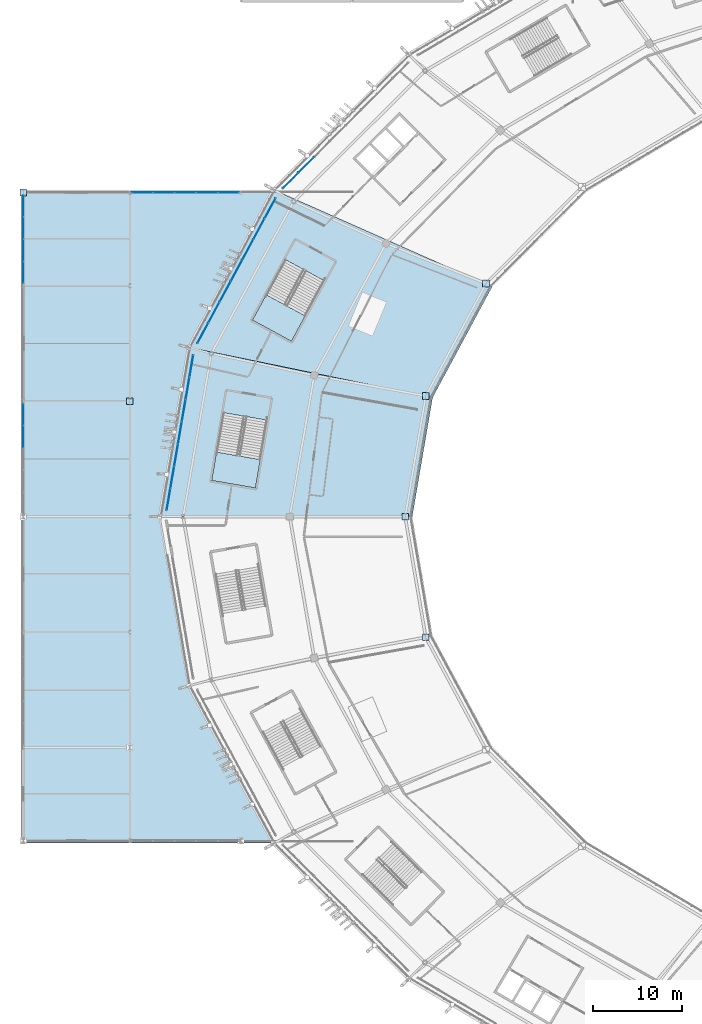
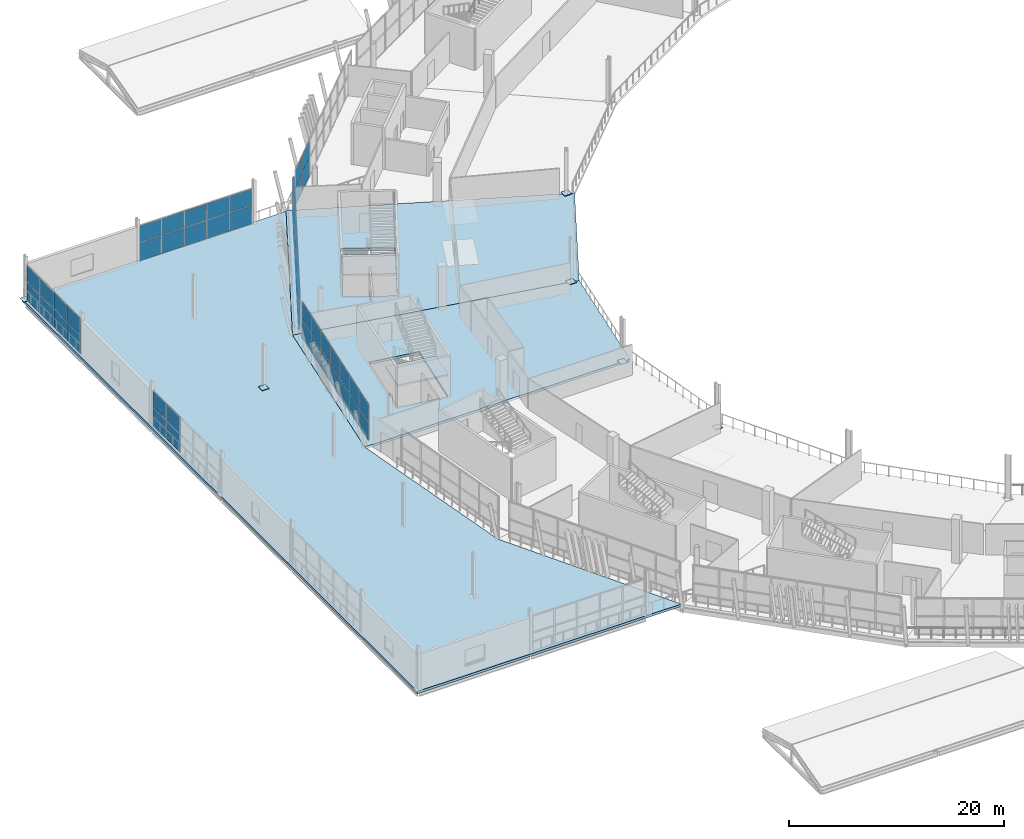
# One storey, part 94 of 179: 60 plates, 5 slabs, 8 elements without a shape of their own.
"""IFC4 building model written with IfcOpenShell, lengths in metres."""

from ifc_helpers import new_model, si_unit, direction, frame, origin, origin_2d, place, context, subcontext, project, spatial, polyline, rectangle, outline, extrude, material, layer, layer_set, type_object, element, aggregate, save


model = new_model("IFC4")

# Units and contexts
model_context = context("Model", 3, precision=1e-05, world=origin(), true_north=direction((0.0, 1.0)))
body_context = subcontext(model_context, "Body", "Model", "MODEL_VIEW")
ifc_project = project(units=[si_unit("LENGTHUNIT", "METRE"), si_unit("AREAUNIT", "SQUARE_METRE"), si_unit("VOLUMEUNIT", "CUBIC_METRE"), si_unit("PLANEANGLEUNIT", "RADIAN"), si_unit("MASSUNIT", "GRAM", prefix="KILO")], contexts=[model_context])

# Site, building, storey
site_placement = place(None, origin())
site = spatial("IfcSite", under=ifc_project, at=site_placement, CompositionType="ELEMENT")
building_placement = place(site_placement, origin())
building = spatial("IfcBuilding", under=site, at=building_placement, Name="Zlatoyarsky Gate Stadium", CompositionType="ELEMENT")
storey_placement = place(building_placement, frame((0.0, 0.0, 10.60009765625)))
storey = spatial("IfcBuildingStorey", under=building, at=storey_placement, Name="L02", CompositionType="ELEMENT", Elevation=10.60009765625)

# Slabs
ifc_material_1 = material(Name="Concrete C40/50", Category="concrete")
ifc_layer_1 = layer(ifc_material_1, 0.280029296875)
ifc_layer_set_1 = layer_set([ifc_layer_1], Name="Concrete C40/50")
slab_type_1 = type_object("IfcSlabType", Name="CONCRETE HOSPITALITY SLAB 280", PredefinedType="FLOOR", material=ifc_layer_set_1)
slab_1_placement = place(storey_placement, frame((0.0, 0.0, -0.280029296875)))
element("IfcSlab", 1, at=slab_1_placement, inside=storey, type_object=slab_type_1, Name="L02 bowl sector 10 slab", PredefinedType="FLOOR", context=body_context, shape_type="SweptSolid", body=[
    extrude(outline(polyline([(46.08984375, 93.40673828125), (18.584228515625, 99.068603515625), (28.14208984375, 116.837890625), (52.802978515625, 105.89990234375), (46.08984375, 93.40673828125)]), holes=[polyline([(29.4970703125, 108.94580078125), (25.80126953125, 102.1337890625), (30.196044921875, 99.749267578125), (33.891845703125, 106.561279296875), (29.4970703125, 108.94580078125)])]), origin(), (0.0, 0.0, 1.0), 0.280029296875),
])
slab_2_placement = place(storey_placement, frame((0.0, 0.0, -0.280029296875)))
element("IfcSlab", 2, at=slab_2_placement, inside=storey, type_object=slab_type_1, Name="L02 bowl sector 11 slab", PredefinedType="FLOOR", context=body_context, shape_type="SweptSolid", body=[
    extrude(outline(polyline([(43.800048828125, 80.0), (15.32421875, 80.0), (18.584228515625, 99.068603515625), (46.08984375, 93.40673828125), (43.800048828125, 80.0)]), holes=[polyline([(22.525390625, 91.7080078125), (21.208251953125, 84.07080078125), (26.135498046875, 83.22119140625), (27.452392578125, 90.8583984375), (22.525390625, 91.7080078125)])]), origin(), (0.0, 0.0, 1.0), 0.280029296875),
])
slab_3_placement = place(storey_placement, frame((0.0, 0.0, -0.280029296875)))
element("IfcSlab", 3, at=slab_3_placement, inside=storey, type_object=slab_type_1, Name="L02 wing V4_WEST slab", PredefinedType="FLOOR", context=body_context, shape_type="SweptSolid", body=[
    extrude(outline(polyline([(28.089599609375, 116.739990234375), (18.584228515625, 99.068603515625), (15.32421875, 80.0), (18.584228515625, 60.931396484375), (28.089599609375, 43.260009765625), (-0.239990234375, 43.260009765625), (-0.239990234375, 116.739990234375), (28.089599609375, 116.739990234375)])), origin(), (0.0, 0.0, 1.0), 0.280029296875),
])

# Stair, slab
stair_type = type_object("IfcStairType", Name="CONCRETE DOGLEG EXIT STAIR H5000", PredefinedType="TWO_STRAIGHT_RUN_STAIR", material=ifc_material_1)
stair_1_placement = place(storey_placement, origin())
stair_1 = element("IfcStair", 4, at=stair_1_placement, inside=storey, type_object=stair_type, Name="L02 Exit Stair ST-06", PredefinedType="TWO_STRAIGHT_RUN_STAIR")
ifc_layer_2 = layer(ifc_material_1, 0.199951171875)
ifc_layer_set_2 = layer_set([ifc_layer_2], Name="Concrete C40/50")
slab_type_2 = type_object("IfcSlabType", Name="CONCRETE STAIR LANDING SLAB 200", PredefinedType="LANDING", material=ifc_layer_set_2)
slab_4_placement = place(storey_placement, frame((0.0, 0.0, 2.2998046875)))
slab_4 = element("IfcSlab", 5, at=slab_4_placement, type_object=slab_type_2, Name="ST-DG50 landing 1", PredefinedType="LANDING", context=body_context, shape_type="SweptSolid", body=[
    extrude(outline(polyline([(27.35107421875, 104.990478515625), (25.80126953125, 102.1337890625), (30.196044921875, 99.749267578125), (31.745849609375, 102.60595703125), (27.35107421875, 104.990478515625)])), origin(), (0.0, 0.0, 1.0), 0.2001953125),
])
aggregate(stair_1, [slab_4])

stair_2_placement = place(storey_placement, origin())
stair_2 = element("IfcStair", 6, at=stair_2_placement, inside=storey, type_object=stair_type, Name="L02 Exit Stair ST-18", PredefinedType="TWO_STRAIGHT_RUN_STAIR")
slab_5_placement = place(storey_placement, frame((0.0, 0.0, 2.2998046875)))
slab_5 = element("IfcSlab", 7, at=slab_5_placement, type_object=slab_type_2, Name="ST-DG50 landing 1", PredefinedType="LANDING", context=body_context, shape_type="SweptSolid", body=[
    extrude(outline(polyline([(21.760498046875, 87.2734375), (21.208251953125, 84.07080078125), (26.135498046875, 83.22119140625), (26.687744140625, 86.423828125), (21.760498046875, 87.2734375)])), origin(), (0.0, 0.0, 1.0), 0.2001953125),
])
aggregate(stair_2, [slab_5])

# Plates
ifc_material_2 = material(Name="Steel S355", Category="steel")
ifc_layer_3 = layer(ifc_material_2, 0.0400390625)
ifc_layer_set_3 = layer_set([ifc_layer_3], Name="Steel S355")
plate_type_1 = type_object("IfcPlateType", Name="STEEL COLUMN BASE PLATE 40", PredefinedType="USERDEFINED", material=ifc_layer_set_3)
for number, where, z_axis, x_axis, name in (
    (8, (52.1103515625, 106.25, 0.0), (0.0, 0.0, 1.0), (1.0, 0.0, 0.0), "Column base plate BP-01 at RA-10 L02"),
    (9, (45.31689453125, 93.587890625, 0.0), (0.0, 0.0, 1.0), (1.0, 0.0, 0.0), "Column base plate BP-01 at RA-11 L02"),
    (10, (43.0, 80.0, 0.0), (0.0, 0.0, 1.0), (1.0, 0.0, 0.0), "Column base plate BP-01 at RA-12 L02"),
    (11, (45.31689453125, 66.412109375, 0.0), (0.0, 0.0, 1.0), (1.0, 0.0, 0.0), "Column base plate BP-01 at RA-13 L02"),
    (12, (0.0, 116.5, 0.0), (0.0, 0.0, 1.0), (1.0, 0.0, 0.0), "Column base plate BP-01 at WG-1-L L02"),
    (13, (12.0, 93.0, 0.0), (0.0, 0.0, 1.0), (1.0, 0.0, 0.0), "Column base plate BP-01 at WG-2-J L02"),
):
    element("IfcPlate", number, at=place(storey_placement, frame(where, z_axis=z_axis, x_axis=x_axis)), inside=storey, type_object=plate_type_1, Name=name, ObjectType="BASE PLATE", PredefinedType="USERDEFINED", context=body_context, shape_type="SweptSolid", body=[
        extrude(rectangle(XDim=0.75, YDim=0.75, at=origin_2d()), origin(), (0.0, 0.0, 1.0), 0.0400390625),
    ])

# Curtain wall, plates
ifc_material_3 = material(Name="Thermally broken anodised aluminium curtain wall", Category="aluminium")
curtain_wall_type_1 = type_object("IfcCurtainWallType", Name="UNITISED HOSPITALITY GLAZING L02", PredefinedType="USERDEFINED", material=ifc_material_3)
curtain_wall_1_placement = place(storey_placement, origin())
curtain_wall_1 = element("IfcCurtainWall", 14, at=curtain_wall_1_placement, inside=storey, type_object=curtain_wall_type_1, Name="Curtain wall CW-L02-09", ObjectType="UNITISED GLAZING", PredefinedType="USERDEFINED")
ifc_material_4 = material(Name="Triple-glazed argon low-e architectural glass", Category="glass")
ifc_layer_4 = layer(ifc_material_4, 0.0380859375)
ifc_layer_set_4 = layer_set([ifc_layer_4], Name="Triple-glazed argon low-e architectural glass")
plate_type_2 = type_object("IfcPlateType", Name="TRIPLE GLAZED LOW E CURTAIN PANEL 38", PredefinedType="CURTAIN_PANEL", material=ifc_layer_set_4)
plate_1_placement = place(storey_placement, frame((31.865478515625, 119.609130859375, 0.06494140625), z_axis=(0.0, 0.0, 1.0), x_axis=(-0.706625557031, -0.707587678066, 0.0)))
plate_1 = element("IfcPlate", 15, at=plate_1_placement, type_object=plate_type_2, Name="CW-UG2 panel 7.1", PredefinedType="CURTAIN_PANEL", context=body_context, shape_type="SweptSolid", body=[
    extrude(rectangle(XDim=2.4423828125, YDim=0.0380859375, at=origin_2d()), origin(), (0.0, 0.0, 1.0), 2.052490234375),
])
plate_2_placement = place(storey_placement, frame((31.865478515625, 119.609130859375, 2.1826171875), z_axis=(0.0, 0.0, 1.0), x_axis=(-0.706625557031, -0.707587678066, 0.0)))
plate_2 = element("IfcPlate", 16, at=plate_2_placement, type_object=plate_type_2, Name="CW-UG2 panel 7.2", PredefinedType="CURTAIN_PANEL", context=body_context, shape_type="SweptSolid", body=[
    extrude(rectangle(XDim=2.4423828125, YDim=0.0380859375, at=origin_2d()), origin(), (0.0, 0.0, 1.0), 1.952392578125),
])
plate_3_placement = place(storey_placement, frame((30.105224609375, 117.846435546875, 0.06494140625), z_axis=(0.0, 0.0, 1.0), x_axis=(-0.706625557031, -0.707587678066, 0.0)))
plate_3 = element("IfcPlate", 17, at=plate_3_placement, type_object=plate_type_2, Name="CW-UG2 panel 8.1", PredefinedType="CURTAIN_PANEL", context=body_context, shape_type="SweptSolid", body=[
    extrude(rectangle(XDim=2.409912109375, YDim=0.0380859375, at=origin_2d()), origin(), (0.0, 0.0, 1.0), 2.052490234375),
])
plate_4_placement = place(storey_placement, frame((30.105224609375, 117.846435546875, 2.1826171875), z_axis=(0.0, 0.0, 1.0), x_axis=(-0.706625557031, -0.707587678066, 0.0)))
plate_4 = element("IfcPlate", 18, at=plate_4_placement, type_object=plate_type_2, Name="CW-UG2 panel 8.2", PredefinedType="CURTAIN_PANEL", context=body_context, shape_type="SweptSolid", body=[
    extrude(rectangle(XDim=2.409912109375, YDim=0.0380859375, at=origin_2d()), origin(), (0.0, 0.0, 1.0), 1.952392578125),
])
aggregate(curtain_wall_1, [plate_1, plate_2, plate_3, plate_4])

curtain_wall_2_placement = place(storey_placement, origin())
curtain_wall_2 = element("IfcCurtainWall", 19, at=curtain_wall_2_placement, inside=storey, type_object=curtain_wall_type_1, Name="Curtain wall CW-L02-10", ObjectType="UNITISED GLAZING", PredefinedType="USERDEFINED")
plate_5_placement = place(storey_placement, frame((27.798828125, 114.72607421875, 0.06494140625), z_axis=(0.0, 0.0, 1.0), x_axis=(-0.474536449165, -0.880235853856, 0.0)))
plate_5 = element("IfcPlate", 20, at=plate_5_placement, type_object=plate_type_2, Name="CW-UG2 panel 1.1", PredefinedType="CURTAIN_PANEL", context=body_context, shape_type="SweptSolid", body=[
    extrude(rectangle(XDim=2.5732421875, YDim=0.0380859375, at=origin_2d()), origin(), (0.0, 0.0, 1.0), 2.052490234375),
])
plate_6_placement = place(storey_placement, frame((27.798828125, 114.72607421875, 2.1826171875), z_axis=(0.0, 0.0, 1.0), x_axis=(-0.474536449165, -0.880235853856, 0.0)))
plate_6 = element("IfcPlate", 21, at=plate_6_placement, type_object=plate_type_2, Name="CW-UG2 panel 1.2", PredefinedType="CURTAIN_PANEL", context=body_context, shape_type="SweptSolid", body=[
    extrude(rectangle(XDim=2.5732421875, YDim=0.0380859375, at=origin_2d()), origin(), (0.0, 0.0, 1.0), 1.952392578125),
])
plate_7_placement = place(storey_placement, frame((26.5390625, 112.389404296875, 0.06494140625), z_axis=(0.0, 0.0, 1.0), x_axis=(-0.474536449165, -0.880235853856, 0.0)))
plate_7 = element("IfcPlate", 22, at=plate_7_placement, type_object=plate_type_2, Name="CW-UG2 panel 2.1", PredefinedType="CURTAIN_PANEL", context=body_context, shape_type="SweptSolid", body=[
    extrude(rectangle(XDim=2.605712890625, YDim=0.0380859375, at=origin_2d()), origin(), (0.0, 0.0, 1.0), 2.052490234375),
])
plate_8_placement = place(storey_placement, frame((26.5390625, 112.389404296875, 2.1826171875), z_axis=(0.0, 0.0, 1.0), x_axis=(-0.474536449165, -0.880235853856, 0.0)))
plate_8 = element("IfcPlate", 23, at=plate_8_placement, type_object=plate_type_2, Name="CW-UG2 panel 2.2", PredefinedType="CURTAIN_PANEL", context=body_context, shape_type="SweptSolid", body=[
    extrude(rectangle(XDim=2.605712890625, YDim=0.0380859375, at=origin_2d()), origin(), (0.0, 0.0, 1.0), 1.952392578125),
])
plate_9_placement = place(storey_placement, frame((25.271728515625, 110.03857421875, 0.06494140625), z_axis=(0.0, 0.0, 1.0), x_axis=(-0.474536449165, -0.880235853856, 0.0)))
plate_9 = element("IfcPlate", 24, at=plate_9_placement, type_object=plate_type_2, Name="CW-UG2 panel 3.1", PredefinedType="CURTAIN_PANEL", context=body_context, shape_type="SweptSolid", body=[
    extrude(rectangle(XDim=2.605712890625, YDim=0.0380859375, at=origin_2d()), origin(), (0.0, 0.0, 1.0), 2.052490234375),
])
plate_10_placement = place(storey_placement, frame((25.271728515625, 110.03857421875, 2.1826171875), z_axis=(0.0, 0.0, 1.0), x_axis=(-0.474536449165, -0.880235853856, 0.0)))
plate_10 = element("IfcPlate", 25, at=plate_10_placement, type_object=plate_type_2, Name="CW-UG2 panel 3.2", PredefinedType="CURTAIN_PANEL", context=body_context, shape_type="SweptSolid", body=[
    extrude(rectangle(XDim=2.605712890625, YDim=0.0380859375, at=origin_2d()), origin(), (0.0, 0.0, 1.0), 1.952392578125),
])
plate_11_placement = place(storey_placement, frame((24.00439453125, 107.687744140625, 0.06494140625), z_axis=(0.0, 0.0, 1.0), x_axis=(-0.474536449165, -0.880235853856, 0.0)))
plate_11 = element("IfcPlate", 26, at=plate_11_placement, type_object=plate_type_2, Name="CW-UG2 panel 4.1", PredefinedType="CURTAIN_PANEL", context=body_context, shape_type="SweptSolid", body=[
    extrude(rectangle(XDim=2.605712890625, YDim=0.0380859375, at=origin_2d()), origin(), (0.0, 0.0, 1.0), 2.052490234375),
])
plate_12_placement = place(storey_placement, frame((24.00439453125, 107.687744140625, 2.1826171875), z_axis=(0.0, 0.0, 1.0), x_axis=(-0.474536449165, -0.880235853856, 0.0)))
plate_12 = element("IfcPlate", 27, at=plate_12_placement, type_object=plate_type_2, Name="CW-UG2 panel 4.2", PredefinedType="CURTAIN_PANEL", context=body_context, shape_type="SweptSolid", body=[
    extrude(rectangle(XDim=2.605712890625, YDim=0.0380859375, at=origin_2d()), origin(), (0.0, 0.0, 1.0), 1.952392578125),
])
plate_13_placement = place(storey_placement, frame((22.737060546875, 105.3369140625, 0.06494140625), z_axis=(0.0, 0.0, 1.0), x_axis=(-0.474536449165, -0.880235853856, 0.0)))
plate_13 = element("IfcPlate", 28, at=plate_13_placement, type_object=plate_type_2, Name="CW-UG2 panel 5.1", PredefinedType="CURTAIN_PANEL", context=body_context, shape_type="SweptSolid", body=[
    extrude(rectangle(XDim=2.605712890625, YDim=0.0380859375, at=origin_2d()), origin(), (0.0, 0.0, 1.0), 2.052490234375),
])
plate_14_placement = place(storey_placement, frame((22.737060546875, 105.3369140625, 2.1826171875), z_axis=(0.0, 0.0, 1.0), x_axis=(-0.474536449165, -0.880235853856, 0.0)))
plate_14 = element("IfcPlate", 29, at=plate_14_placement, type_object=plate_type_2, Name="CW-UG2 panel 5.2", PredefinedType="CURTAIN_PANEL", context=body_context, shape_type="SweptSolid", body=[
    extrude(rectangle(XDim=2.605712890625, YDim=0.0380859375, at=origin_2d()), origin(), (0.0, 0.0, 1.0), 1.952392578125),
])
plate_15_placement = place(storey_placement, frame((21.4697265625, 102.986083984375, 0.06494140625), z_axis=(0.0, 0.0, 1.0), x_axis=(-0.474536449165, -0.880235853856, 0.0)))
plate_15 = element("IfcPlate", 30, at=plate_15_placement, type_object=plate_type_2, Name="CW-UG2 panel 6.1", PredefinedType="CURTAIN_PANEL", context=body_context, shape_type="SweptSolid", body=[
    extrude(rectangle(XDim=2.605712890625, YDim=0.0380859375, at=origin_2d()), origin(), (0.0, 0.0, 1.0), 2.052490234375),
])
plate_16_placement = place(storey_placement, frame((21.4697265625, 102.986083984375, 2.1826171875), z_axis=(0.0, 0.0, 1.0), x_axis=(-0.474536449165, -0.880235853856, 0.0)))
plate_16 = element("IfcPlate", 31, at=plate_16_placement, type_object=plate_type_2, Name="CW-UG2 panel 6.2", PredefinedType="CURTAIN_PANEL", context=body_context, shape_type="SweptSolid", body=[
    extrude(rectangle(XDim=2.605712890625, YDim=0.0380859375, at=origin_2d()), origin(), (0.0, 0.0, 1.0), 1.952392578125),
])
plate_17_placement = place(storey_placement, frame((20.2099609375, 100.6494140625, 0.06494140625), z_axis=(0.0, 0.0, 1.0), x_axis=(-0.474536449165, -0.880235853856, 0.0)))
plate_17 = element("IfcPlate", 32, at=plate_17_placement, type_object=plate_type_2, Name="CW-UG2 panel 7.1", PredefinedType="CURTAIN_PANEL", context=body_context, shape_type="SweptSolid", body=[
    extrude(rectangle(XDim=2.5732421875, YDim=0.0380859375, at=origin_2d()), origin(), (0.0, 0.0, 1.0), 2.052490234375),
])
plate_18_placement = place(storey_placement, frame((20.2099609375, 100.6494140625, 2.1826171875), z_axis=(0.0, 0.0, 1.0), x_axis=(-0.474536449165, -0.880235853856, 0.0)))
plate_18 = element("IfcPlate", 33, at=plate_18_placement, type_object=plate_type_2, Name="CW-UG2 panel 7.2", PredefinedType="CURTAIN_PANEL", context=body_context, shape_type="SweptSolid", body=[
    extrude(rectangle(XDim=2.5732421875, YDim=0.0380859375, at=origin_2d()), origin(), (0.0, 0.0, 1.0), 1.952392578125),
])
aggregate(curtain_wall_2, [plate_5, plate_6, plate_7, plate_8, plate_9, plate_10, plate_11, plate_12, plate_13, plate_14, plate_15, plate_16, plate_17, plate_18])

curtain_wall_3_placement = place(storey_placement, origin())
curtain_wall_3 = element("IfcCurtainWall", 34, at=curtain_wall_3_placement, inside=storey, type_object=curtain_wall_type_1, Name="Curtain wall CW-L02-11", ObjectType="UNITISED GLAZING", PredefinedType="USERDEFINED")
plate_19_placement = place(storey_placement, frame((18.932373046875, 96.973388671875, 0.06494140625), z_axis=(0.0, 0.0, 1.0), x_axis=(-0.168876489016, -0.985637221019, 0.0)))
plate_19 = element("IfcPlate", 35, at=plate_19_placement, type_object=plate_type_2, Name="CW-UG2 panel 1.1", PredefinedType="CURTAIN_PANEL", context=body_context, shape_type="SweptSolid", body=[
    extrude(rectangle(XDim=2.454345703125, YDim=0.0380859375, at=origin_2d()), origin(), (0.0, 0.0, 1.0), 2.052490234375),
])
plate_20_placement = place(storey_placement, frame((18.932373046875, 96.973388671875, 2.1826171875), z_axis=(0.0, 0.0, 1.0), x_axis=(-0.168876489016, -0.985637221019, 0.0)))
plate_20 = element("IfcPlate", 36, at=plate_20_placement, type_object=plate_type_2, Name="CW-UG2 panel 1.2", PredefinedType="CURTAIN_PANEL", context=body_context, shape_type="SweptSolid", body=[
    extrude(rectangle(XDim=2.454345703125, YDim=0.0380859375, at=origin_2d()), origin(), (0.0, 0.0, 1.0), 1.952392578125),
])
plate_21_placement = place(storey_placement, frame((18.504150390625, 94.47412109375, 0.06494140625), z_axis=(0.0, 0.0, 1.0), x_axis=(-0.168876489016, -0.985637221019, 0.0)))
plate_21 = element("IfcPlate", 37, at=plate_21_placement, type_object=plate_type_2, Name="CW-UG2 panel 2.1", PredefinedType="CURTAIN_PANEL", context=body_context, shape_type="SweptSolid", body=[
    extrude(rectangle(XDim=2.48681640625, YDim=0.0380859375, at=origin_2d()), origin(), (0.0, 0.0, 1.0), 2.052490234375),
])
plate_22_placement = place(storey_placement, frame((18.504150390625, 94.47412109375, 2.1826171875), z_axis=(0.0, 0.0, 1.0), x_axis=(-0.168876489016, -0.985637221019, 0.0)))
plate_22 = element("IfcPlate", 38, at=plate_22_placement, type_object=plate_type_2, Name="CW-UG2 panel 2.2", PredefinedType="CURTAIN_PANEL", context=body_context, shape_type="SweptSolid", body=[
    extrude(rectangle(XDim=2.48681640625, YDim=0.0380859375, at=origin_2d()), origin(), (0.0, 0.0, 1.0), 1.952392578125),
])
plate_23_placement = place(storey_placement, frame((18.0732421875, 91.958984375, 0.06494140625), z_axis=(0.0, 0.0, 1.0), x_axis=(-0.168876489016, -0.985637221019, 0.0)))
plate_23 = element("IfcPlate", 39, at=plate_23_placement, type_object=plate_type_2, Name="CW-UG2 panel 3.1", PredefinedType="CURTAIN_PANEL", context=body_context, shape_type="SweptSolid", body=[
    extrude(rectangle(XDim=2.48681640625, YDim=0.0380859375, at=origin_2d()), origin(), (0.0, 0.0, 1.0), 2.052490234375),
])
plate_24_placement = place(storey_placement, frame((18.0732421875, 91.958984375, 2.1826171875), z_axis=(0.0, 0.0, 1.0), x_axis=(-0.168876489016, -0.985637221019, 0.0)))
plate_24 = element("IfcPlate", 40, at=plate_24_placement, type_object=plate_type_2, Name="CW-UG2 panel 3.2", PredefinedType="CURTAIN_PANEL", context=body_context, shape_type="SweptSolid", body=[
    extrude(rectangle(XDim=2.48681640625, YDim=0.0380859375, at=origin_2d()), origin(), (0.0, 0.0, 1.0), 1.952392578125),
])
plate_25_placement = place(storey_placement, frame((17.64208984375, 89.44384765625, 0.06494140625), z_axis=(0.0, 0.0, 1.0), x_axis=(-0.168876489016, -0.985637221019, 0.0)))
plate_25 = element("IfcPlate", 41, at=plate_25_placement, type_object=plate_type_2, Name="CW-UG2 panel 4.1", PredefinedType="CURTAIN_PANEL", context=body_context, shape_type="SweptSolid", body=[
    extrude(rectangle(XDim=2.48681640625, YDim=0.0380859375, at=origin_2d()), origin(), (0.0, 0.0, 1.0), 2.052490234375),
])
plate_26_placement = place(storey_placement, frame((17.64208984375, 89.44384765625, 2.1826171875), z_axis=(0.0, 0.0, 1.0), x_axis=(-0.168876489016, -0.985637221019, 0.0)))
plate_26 = element("IfcPlate", 42, at=plate_26_placement, type_object=plate_type_2, Name="CW-UG2 panel 4.2", PredefinedType="CURTAIN_PANEL", context=body_context, shape_type="SweptSolid", body=[
    extrude(rectangle(XDim=2.48681640625, YDim=0.0380859375, at=origin_2d()), origin(), (0.0, 0.0, 1.0), 1.952392578125),
])
plate_27_placement = place(storey_placement, frame((17.211181640625, 86.9287109375, 0.06494140625), z_axis=(0.0, 0.0, 1.0), x_axis=(-0.168876489016, -0.985637221019, 0.0)))
plate_27 = element("IfcPlate", 43, at=plate_27_placement, type_object=plate_type_2, Name="CW-UG2 panel 5.1", PredefinedType="CURTAIN_PANEL", context=body_context, shape_type="SweptSolid", body=[
    extrude(rectangle(XDim=2.48681640625, YDim=0.0380859375, at=origin_2d()), origin(), (0.0, 0.0, 1.0), 2.052490234375),
])
plate_28_placement = place(storey_placement, frame((17.211181640625, 86.9287109375, 2.1826171875), z_axis=(0.0, 0.0, 1.0), x_axis=(-0.168876489016, -0.985637221019, 0.0)))
plate_28 = element("IfcPlate", 44, at=plate_28_placement, type_object=plate_type_2, Name="CW-UG2 panel 5.2", PredefinedType="CURTAIN_PANEL", context=body_context, shape_type="SweptSolid", body=[
    extrude(rectangle(XDim=2.48681640625, YDim=0.0380859375, at=origin_2d()), origin(), (0.0, 0.0, 1.0), 1.952392578125),
])
plate_29_placement = place(storey_placement, frame((16.7802734375, 84.41357421875, 0.06494140625), z_axis=(0.0, 0.0, 1.0), x_axis=(-0.168876489016, -0.985637221019, 0.0)))
plate_29 = element("IfcPlate", 45, at=plate_29_placement, type_object=plate_type_2, Name="CW-UG2 panel 6.1", PredefinedType="CURTAIN_PANEL", context=body_context, shape_type="SweptSolid", body=[
    extrude(rectangle(XDim=2.48681640625, YDim=0.0380859375, at=origin_2d()), origin(), (0.0, 0.0, 1.0), 2.052490234375),
])
plate_30_placement = place(storey_placement, frame((16.7802734375, 84.41357421875, 2.1826171875), z_axis=(0.0, 0.0, 1.0), x_axis=(-0.168876489016, -0.985637221019, 0.0)))
plate_30 = element("IfcPlate", 46, at=plate_30_placement, type_object=plate_type_2, Name="CW-UG2 panel 6.2", PredefinedType="CURTAIN_PANEL", context=body_context, shape_type="SweptSolid", body=[
    extrude(rectangle(XDim=2.48681640625, YDim=0.0380859375, at=origin_2d()), origin(), (0.0, 0.0, 1.0), 1.952392578125),
])
plate_31_placement = place(storey_placement, frame((16.35205078125, 81.914306640625, 0.06494140625), z_axis=(0.0, 0.0, 1.0), x_axis=(-0.168876489016, -0.985637221019, 0.0)))
plate_31 = element("IfcPlate", 47, at=plate_31_placement, type_object=plate_type_2, Name="CW-UG2 panel 7.1", PredefinedType="CURTAIN_PANEL", context=body_context, shape_type="SweptSolid", body=[
    extrude(rectangle(XDim=2.454345703125, YDim=0.0380859375, at=origin_2d()), origin(), (0.0, 0.0, 1.0), 2.052490234375),
])
plate_32_placement = place(storey_placement, frame((16.35205078125, 81.914306640625, 2.1826171875), z_axis=(0.0, 0.0, 1.0), x_axis=(-0.168876489016, -0.985637221019, 0.0)))
plate_32 = element("IfcPlate", 48, at=plate_32_placement, type_object=plate_type_2, Name="CW-UG2 panel 7.2", PredefinedType="CURTAIN_PANEL", context=body_context, shape_type="SweptSolid", body=[
    extrude(rectangle(XDim=2.454345703125, YDim=0.0380859375, at=origin_2d()), origin(), (0.0, 0.0, 1.0), 1.952392578125),
])
aggregate(curtain_wall_3, [plate_19, plate_20, plate_21, plate_22, plate_23, plate_24, plate_25, plate_26, plate_27, plate_28, plate_29, plate_30, plate_31, plate_32])

curtain_wall_type_2 = type_object("IfcCurtainWallType", Name="WINTER GARDEN CONSERVATORY GLAZING", PredefinedType="USERDEFINED", material=ifc_material_3)
curtain_wall_4_placement = place(storey_placement, origin())
curtain_wall_4 = element("IfcCurtainWall", 49, at=curtain_wall_4_placement, inside=storey, type_object=curtain_wall_type_2, Name="Curtain wall CW-V4_WEST-L02-169", ObjectType="UNITISED GLAZING", PredefinedType="USERDEFINED")
plate_33_placement = place(storey_placement, frame((0.0, 89.01513671875, 0.06494140625), z_axis=(0.0, 0.0, 1.0), x_axis=(0.0, 1.0, 0.0)))
plate_33 = element("IfcPlate", 50, at=plate_33_placement, type_object=plate_type_2, Name="CW-WG1 panel 4.1", PredefinedType="CURTAIN_PANEL", context=body_context, shape_type="SweptSolid", body=[
    extrude(rectangle(XDim=2.4501953125, YDim=0.0380859375, at=origin_2d()), origin(), (0.0, 0.0, 1.0), 2.052490234375),
])
plate_34_placement = place(storey_placement, frame((0.0, 89.01513671875, 2.182373046875), z_axis=(0.0, 0.0, 1.0), x_axis=(0.0, 1.0, 0.0)))
plate_34 = element("IfcPlate", 51, at=plate_34_placement, type_object=plate_type_2, Name="CW-WG1 panel 4.2", PredefinedType="CURTAIN_PANEL", context=body_context, shape_type="SweptSolid", body=[
    extrude(rectangle(XDim=2.4501953125, YDim=0.0380859375, at=origin_2d()), origin(), (0.0, 0.0, 1.0), 1.8525390625),
])
plate_35_placement = place(storey_placement, frame((0.0, 91.51416015625, 0.06494140625), z_axis=(0.0, 0.0, 1.0), x_axis=(0.0, 1.0, 0.0)))
plate_35 = element("IfcPlate", 52, at=plate_35_placement, type_object=plate_type_2, Name="CW-WG1 panel 5.1", PredefinedType="CURTAIN_PANEL", context=body_context, shape_type="SweptSolid", body=[
    extrude(rectangle(XDim=2.417724609375, YDim=0.0380859375, at=origin_2d()), origin(), (0.0, 0.0, 1.0), 2.052490234375),
])
plate_36_placement = place(storey_placement, frame((0.0, 91.51416015625, 2.182373046875), z_axis=(0.0, 0.0, 1.0), x_axis=(0.0, 1.0, 0.0)))
plate_36 = element("IfcPlate", 53, at=plate_36_placement, type_object=plate_type_2, Name="CW-WG1 panel 5.2", PredefinedType="CURTAIN_PANEL", context=body_context, shape_type="SweptSolid", body=[
    extrude(rectangle(XDim=2.417724609375, YDim=0.0380859375, at=origin_2d()), origin(), (0.0, 0.0, 1.0), 1.8525390625),
])
aggregate(curtain_wall_4, [plate_33, plate_34, plate_35, plate_36])

curtain_wall_5_placement = place(storey_placement, origin())
curtain_wall_5 = element("IfcCurtainWall", 54, at=curtain_wall_5_placement, inside=storey, type_object=curtain_wall_type_2, Name="Curtain wall CW-V4_WEST-L02-170", ObjectType="UNITISED GLAZING", PredefinedType="USERDEFINED")
plate_37_placement = place(storey_placement, frame((0.0, 107.48779296875, 0.06494140625), z_axis=(0.0, 0.0, 1.0), x_axis=(0.0, 1.0, 0.0)))
plate_37 = element("IfcPlate", 55, at=plate_37_placement, type_object=plate_type_2, Name="CW-WG1 panel 1.1", PredefinedType="CURTAIN_PANEL", context=body_context, shape_type="SweptSolid", body=[
    extrude(rectangle(XDim=2.42138671875, YDim=0.0380859375, at=origin_2d()), origin(), (0.0, 0.0, 1.0), 2.052490234375),
])
plate_38_placement = place(storey_placement, frame((0.0, 107.48779296875, 2.182373046875), z_axis=(0.0, 0.0, 1.0), x_axis=(0.0, 1.0, 0.0)))
plate_38 = element("IfcPlate", 56, at=plate_38_placement, type_object=plate_type_2, Name="CW-WG1 panel 1.2", PredefinedType="CURTAIN_PANEL", context=body_context, shape_type="SweptSolid", body=[
    extrude(rectangle(XDim=2.42138671875, YDim=0.0380859375, at=origin_2d()), origin(), (0.0, 0.0, 1.0), 1.8525390625),
])
plate_39_placement = place(storey_placement, frame((0.0, 109.990478515625, 0.06494140625), z_axis=(0.0, 0.0, 1.0), x_axis=(0.0, 1.0, 0.0)))
plate_39 = element("IfcPlate", 57, at=plate_39_placement, type_object=plate_type_2, Name="CW-WG1 panel 2.1", PredefinedType="CURTAIN_PANEL", context=body_context, shape_type="SweptSolid", body=[
    extrude(rectangle(XDim=2.4541015625, YDim=0.0380859375, at=origin_2d()), origin(), (0.0, 0.0, 1.0), 2.052490234375),
])
plate_40_placement = place(storey_placement, frame((0.0, 109.990478515625, 2.182373046875), z_axis=(0.0, 0.0, 1.0), x_axis=(0.0, 1.0, 0.0)))
plate_40 = element("IfcPlate", 58, at=plate_40_placement, type_object=plate_type_2, Name="CW-WG1 panel 2.2", PredefinedType="CURTAIN_PANEL", context=body_context, shape_type="SweptSolid", body=[
    extrude(rectangle(XDim=2.4541015625, YDim=0.0380859375, at=origin_2d()), origin(), (0.0, 0.0, 1.0), 1.8525390625),
])
plate_41_placement = place(storey_placement, frame((0.0, 112.509521484375, 0.06494140625), z_axis=(0.0, 0.0, 1.0), x_axis=(0.0, 1.0, 0.0)))
plate_41 = element("IfcPlate", 59, at=plate_41_placement, type_object=plate_type_2, Name="CW-WG1 panel 3.1", PredefinedType="CURTAIN_PANEL", context=body_context, shape_type="SweptSolid", body=[
    extrude(rectangle(XDim=2.4541015625, YDim=0.0380859375, at=origin_2d()), origin(), (0.0, 0.0, 1.0), 2.052490234375),
])
plate_42_placement = place(storey_placement, frame((0.0, 112.509521484375, 2.182373046875), z_axis=(0.0, 0.0, 1.0), x_axis=(0.0, 1.0, 0.0)))
plate_42 = element("IfcPlate", 60, at=plate_42_placement, type_object=plate_type_2, Name="CW-WG1 panel 3.2", PredefinedType="CURTAIN_PANEL", context=body_context, shape_type="SweptSolid", body=[
    extrude(rectangle(XDim=2.4541015625, YDim=0.0380859375, at=origin_2d()), origin(), (0.0, 0.0, 1.0), 1.8525390625),
])
plate_43_placement = place(storey_placement, frame((0.0, 115.01220703125, 0.06494140625), z_axis=(0.0, 0.0, 1.0), x_axis=(0.0, 1.0, 0.0)))
plate_43 = element("IfcPlate", 61, at=plate_43_placement, type_object=plate_type_2, Name="CW-WG1 panel 4.1", PredefinedType="CURTAIN_PANEL", context=body_context, shape_type="SweptSolid", body=[
    extrude(rectangle(XDim=2.42138671875, YDim=0.0380859375, at=origin_2d()), origin(), (0.0, 0.0, 1.0), 2.052490234375),
])
plate_44_placement = place(storey_placement, frame((0.0, 115.01220703125, 2.182373046875), z_axis=(0.0, 0.0, 1.0), x_axis=(0.0, 1.0, 0.0)))
plate_44 = element("IfcPlate", 62, at=plate_44_placement, type_object=plate_type_2, Name="CW-WG1 panel 4.2", PredefinedType="CURTAIN_PANEL", context=body_context, shape_type="SweptSolid", body=[
    extrude(rectangle(XDim=2.42138671875, YDim=0.0380859375, at=origin_2d()), origin(), (0.0, 0.0, 1.0), 1.8525390625),
])
aggregate(curtain_wall_5, [plate_37, plate_38, plate_39, plate_40, plate_41, plate_42, plate_43, plate_44])

curtain_wall_6_placement = place(storey_placement, origin())
curtain_wall_6 = element("IfcCurtainWall", 63, at=curtain_wall_6_placement, inside=storey, type_object=curtain_wall_type_2, Name="Curtain wall CW-V4_WEST-L02-178", ObjectType="UNITISED GLAZING", PredefinedType="USERDEFINED")
plate_45_placement = place(storey_placement, frame((13.395751953125, 116.5, 0.06494140625), z_axis=(0.0, 0.0, 1.0), x_axis=(1.0, 0.0, 0.0)))
plate_45 = element("IfcPlate", 64, at=plate_45_placement, type_object=plate_type_2, Name="CW-WG1 panel 1.1", PredefinedType="CURTAIN_PANEL", context=body_context, shape_type="SweptSolid", body=[
    extrude(rectangle(XDim=2.337646484375, YDim=0.0380859375, at=origin_2d()), origin(), (0.0, 0.0, 1.0), 2.052490234375),
])
plate_46_placement = place(storey_placement, frame((13.395751953125, 116.5, 2.182373046875), z_axis=(0.0, 0.0, 1.0), x_axis=(1.0, 0.0, 0.0)))
plate_46 = element("IfcPlate", 65, at=plate_46_placement, type_object=plate_type_2, Name="CW-WG1 panel 1.2", PredefinedType="CURTAIN_PANEL", context=body_context, shape_type="SweptSolid", body=[
    extrude(rectangle(XDim=2.337646484375, YDim=0.0380859375, at=origin_2d()), origin(), (0.0, 0.0, 1.0), 1.8525390625),
])
plate_47_placement = place(storey_placement, frame((15.814697265625, 116.5, 0.06494140625), z_axis=(0.0, 0.0, 1.0), x_axis=(1.0, 0.0, 0.0)))
plate_47 = element("IfcPlate", 66, at=plate_47_placement, type_object=plate_type_2, Name="CW-WG1 panel 2.1", PredefinedType="CURTAIN_PANEL", context=body_context, shape_type="SweptSolid", body=[
    extrude(rectangle(XDim=2.3701171875, YDim=0.0380859375, at=origin_2d()), origin(), (0.0, 0.0, 1.0), 2.052490234375),
])
plate_48_placement = place(storey_placement, frame((15.814697265625, 116.5, 2.182373046875), z_axis=(0.0, 0.0, 1.0), x_axis=(1.0, 0.0, 0.0)))
plate_48 = element("IfcPlate", 67, at=plate_48_placement, type_object=plate_type_2, Name="CW-WG1 panel 2.2", PredefinedType="CURTAIN_PANEL", context=body_context, shape_type="SweptSolid", body=[
    extrude(rectangle(XDim=2.3701171875, YDim=0.0380859375, at=origin_2d()), origin(), (0.0, 0.0, 1.0), 1.8525390625),
])
plate_49_placement = place(storey_placement, frame((18.25, 116.5, 0.06494140625), z_axis=(0.0, 0.0, 1.0), x_axis=(1.0, 0.0, 0.0)))
plate_49 = element("IfcPlate", 68, at=plate_49_placement, type_object=plate_type_2, Name="CW-WG1 panel 3.1", PredefinedType="CURTAIN_PANEL", context=body_context, shape_type="SweptSolid", body=[
    extrude(rectangle(XDim=2.3701171875, YDim=0.0380859375, at=origin_2d()), origin(), (0.0, 0.0, 1.0), 2.052490234375),
])
plate_50_placement = place(storey_placement, frame((18.25, 116.5, 2.182373046875), z_axis=(0.0, 0.0, 1.0), x_axis=(1.0, 0.0, 0.0)))
plate_50 = element("IfcPlate", 69, at=plate_50_placement, type_object=plate_type_2, Name="CW-WG1 panel 3.2", PredefinedType="CURTAIN_PANEL", context=body_context, shape_type="SweptSolid", body=[
    extrude(rectangle(XDim=2.3701171875, YDim=0.0380859375, at=origin_2d()), origin(), (0.0, 0.0, 1.0), 1.8525390625),
])
plate_51_placement = place(storey_placement, frame((20.685302734375, 116.5, 0.06494140625), z_axis=(0.0, 0.0, 1.0), x_axis=(1.0, 0.0, 0.0)))
plate_51 = element("IfcPlate", 70, at=plate_51_placement, type_object=plate_type_2, Name="CW-WG1 panel 4.1", PredefinedType="CURTAIN_PANEL", context=body_context, shape_type="SweptSolid", body=[
    extrude(rectangle(XDim=2.3701171875, YDim=0.0380859375, at=origin_2d()), origin(), (0.0, 0.0, 1.0), 2.052490234375),
])
plate_52_placement = place(storey_placement, frame((20.685302734375, 116.5, 2.182373046875), z_axis=(0.0, 0.0, 1.0), x_axis=(1.0, 0.0, 0.0)))
plate_52 = element("IfcPlate", 71, at=plate_52_placement, type_object=plate_type_2, Name="CW-WG1 panel 4.2", PredefinedType="CURTAIN_PANEL", context=body_context, shape_type="SweptSolid", body=[
    extrude(rectangle(XDim=2.3701171875, YDim=0.0380859375, at=origin_2d()), origin(), (0.0, 0.0, 1.0), 1.8525390625),
])
plate_53_placement = place(storey_placement, frame((23.104248046875, 116.5, 0.06494140625), z_axis=(0.0, 0.0, 1.0), x_axis=(1.0, 0.0, 0.0)))
plate_53 = element("IfcPlate", 72, at=plate_53_placement, type_object=plate_type_2, Name="CW-WG1 panel 5.1", PredefinedType="CURTAIN_PANEL", context=body_context, shape_type="SweptSolid", body=[
    extrude(rectangle(XDim=2.337646484375, YDim=0.0380859375, at=origin_2d()), origin(), (0.0, 0.0, 1.0), 2.052490234375),
])
plate_54_placement = place(storey_placement, frame((23.104248046875, 116.5, 2.182373046875), z_axis=(0.0, 0.0, 1.0), x_axis=(1.0, 0.0, 0.0)))
plate_54 = element("IfcPlate", 73, at=plate_54_placement, type_object=plate_type_2, Name="CW-WG1 panel 5.2", PredefinedType="CURTAIN_PANEL", context=body_context, shape_type="SweptSolid", body=[
    extrude(rectangle(XDim=2.337646484375, YDim=0.0380859375, at=origin_2d()), origin(), (0.0, 0.0, 1.0), 1.8525390625),
])
aggregate(curtain_wall_6, [plate_45, plate_46, plate_47, plate_48, plate_49, plate_50, plate_51, plate_52, plate_53, plate_54])

save(model, "model.ifc")
